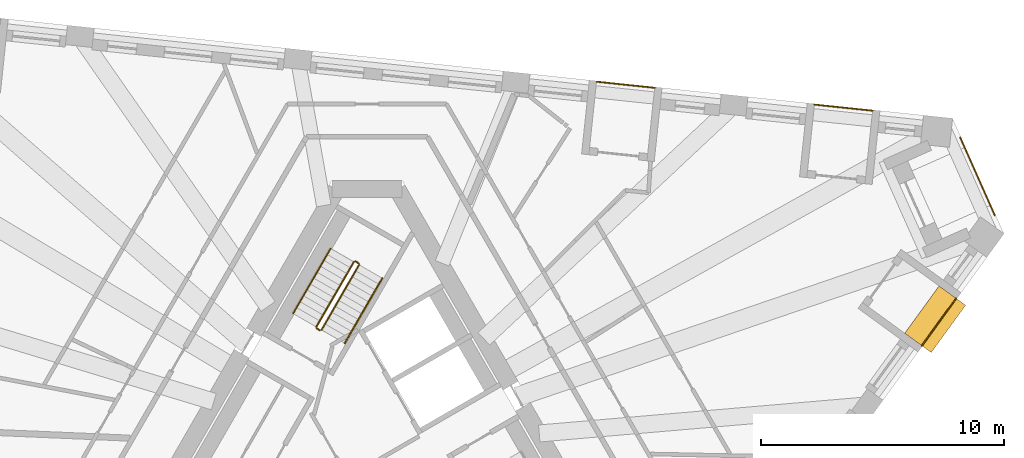
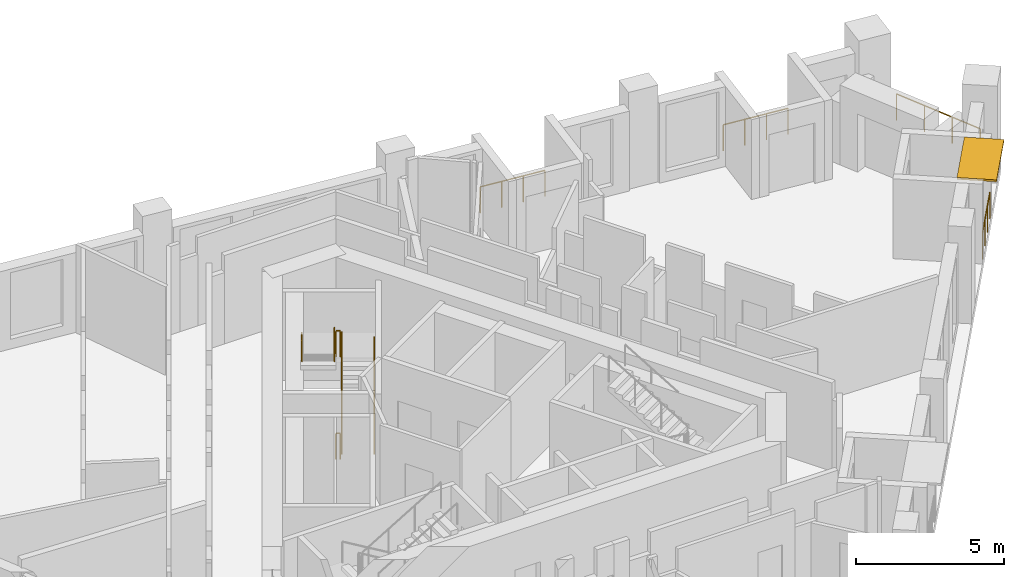
# One storey, part 11 of 11: 10 railings, 1 shading device.
"""IFC4 building model written with IfcOpenShell, lengths in metres."""

from ifc_helpers import new_model, si_unit, direction, frame, origin, origin_2d, place, context, subcontext, project, spatial, rectangle, circle, extrude, material, layer, layer_set, type_object, element, save


model = new_model("IFC4")

# Units and contexts
model_context = context("Model", 3, precision=1e-05, world=origin(), true_north=direction((0.0, 1.0)))
body_context = subcontext(model_context, "Body", "Model", "MODEL_VIEW")
ifc_project = project(units=[si_unit("LENGTHUNIT", "METRE"), si_unit("AREAUNIT", "SQUARE_METRE"), si_unit("VOLUMEUNIT", "CUBIC_METRE"), si_unit("PLANEANGLEUNIT", "RADIAN"), si_unit("MASSUNIT", "GRAM", prefix="KILO")], contexts=[model_context])

# Site, building, storey
site_placement = place(None, origin())
site = spatial("IfcSite", under=ifc_project, at=site_placement, CompositionType="ELEMENT")
building_placement = place(site_placement, origin())
building = spatial("IfcBuilding", under=site, at=building_placement, Name="Tramontana Tower", CompositionType="ELEMENT")
storey_placement = place(building_placement, frame((0.0, 0.0, 261.199951171875)))
storey = spatial("IfcBuildingStorey", under=building, at=storey_placement, Name="L61", CompositionType="ELEMENT", Elevation=261.199951171875)

# Railings
ifc_material_1 = material(Name="Laminated glass balustrade", Category="glass")
railing_type_1 = type_object("IfcRailingType", Name="GD1 Loggia glass balustrade 1100", PredefinedType="BALUSTRADE", material=ifc_material_1)
railing_1_placement = place(storey_placement, frame((22.802001953125, 4.21435546875, 0.0)))
element("IfcRailing", 1, at=railing_1_placement, inside=storey, type_object=railing_type_1, Name="Loggia balustrade L61 G6S1.13", PredefinedType="BALUSTRADE", context=body_context, shape_type="SweptSolid", body=[
    extrude(circle(Radius=0.02392578125, at=origin_2d()), frame((0.0, 0.0, 1.076171875), z_axis=(0.587718396543, 0.8090655637, 0.0), x_axis=(-0.8090655637, 0.587718396543, 0.0)), (0.0, 0.0, 1.0), 2.40234375),
    extrude(circle(Radius=0.02099609375, at=origin_2d()), origin(), (0.0, 0.0, 1.0), 1.052001953125),
    extrude(circle(Radius=0.02099609375, at=origin_2d()), frame((0.470703125, 0.64794921875, 0.0)), (0.0, 0.0, 1.0), 1.052001953125),
    extrude(circle(Radius=0.02099609375, at=origin_2d()), frame((0.941162109375, 1.295654296875, 0.0)), (0.0, 0.0, 1.0), 1.052001953125),
    extrude(circle(Radius=0.02099609375, at=origin_2d()), frame((1.411865234375, 1.943603515625, 0.0)), (0.0, 0.0, 1.0), 1.052001953125),
])
for number, where, name in (
    (2, (20.778564453125, 13.8740234375, 0.0), "Loggia balustrade L61 G6S2.1"),
    (3, (11.8212890625, 14.8154296875, 0.0), "Loggia balustrade L61 G6S2.4"),
):
    element("IfcRailing", number, at=place(storey_placement, frame(where)), inside=storey, type_object=railing_type_1, Name=name, PredefinedType="BALUSTRADE", context=body_context, shape_type="SweptSolid", body=[
        extrude(circle(Radius=0.02392578125, at=origin_2d()), frame((0.0, 0.0, 1.076171875), z_axis=(-0.994517140727, 0.104573690763, 0.0), x_axis=(-0.104573690763, -0.994517140727, 0.0)), (0.0, 0.0, 1.0), 2.40234375),
        extrude(circle(Radius=0.02099609375, at=origin_2d()), origin(), (0.0, 0.0, 1.0), 1.052001953125),
        extrude(circle(Radius=0.02099609375, at=origin_2d()), frame((-0.79638671875, 0.083740234375, 0.0)), (0.0, 0.0, 1.0), 1.052001953125),
        extrude(circle(Radius=0.02099609375, at=origin_2d()), frame((-1.5927734375, 0.16748046875, 0.0)), (0.0, 0.0, 1.0), 1.052001953125),
        extrude(circle(Radius=0.02099609375, at=origin_2d()), frame((-2.38916015625, 0.251220703125, 0.0)), (0.0, 0.0, 1.0), 1.052001953125),
    ])
railing_2_placement = place(storey_placement, frame((24.38330078125, 12.771728515625, 0.0)))
element("IfcRailing", 4, at=railing_2_placement, inside=storey, type_object=railing_type_1, Name="Corner loggia balustrade L61 K62", PredefinedType="BALUSTRADE", context=body_context, shape_type="SweptSolid", body=[
    extrude(circle(Radius=0.02392578125, at=origin_2d()), frame((0.0, 0.0, 1.076171875), z_axis=(0.406753242783, -0.913538066796, 0.0), x_axis=(0.913538066796, 0.406753242783, 0.0)), (0.0, 0.0, 1.0), 3.499755859375),
    extrude(circle(Radius=0.02099609375, at=origin_2d()), origin(), (0.0, 0.0, 1.0), 1.052001953125),
    extrude(circle(Radius=0.02099609375, at=origin_2d()), frame((0.474609375, -1.065673828125, 0.0)), (0.0, 0.0, 1.0), 1.052001953125),
    extrude(circle(Radius=0.02099609375, at=origin_2d()), frame((0.948974609375, -2.131591796875, 0.0)), (0.0, 0.0, 1.0), 1.052001953125),
    extrude(circle(Radius=0.02099609375, at=origin_2d()), frame((1.423583984375, -3.197265625, 0.0)), (0.0, 0.0, 1.0), 1.052001953125),
])

# Shading device
ifc_material_2 = material(Name="Precast concrete 60 MPa", Category="concrete")
ifc_layer = layer(ifc_material_2, 0.080078125)
ifc_layer_set = layer_set([ifc_layer], Name="SS3 Stone sunshade blade 80")
shading_device_type = type_object("IfcShadingDeviceType", Name="SS3 Stone sunshade blade 80", PredefinedType="USERDEFINED", material=ifc_layer_set)
shading_device_placement = place(storey_placement, frame((23.35009765625, 5.30078125, 3.219970703125), z_axis=(0.0, 0.0, 1.0), x_axis=(0.587785252292, 0.809016994375, 0.0)))
element("IfcShadingDevice", 5, at=shading_device_placement, inside=storey, type_object=shading_device_type, Name="Sunshade L61 G6S1.13", ObjectType="SUNSHADE", PredefinedType="USERDEFINED", context=body_context, shape_type="SweptSolid", body=[
    extrude(rectangle(XDim=2.402099609375, YDim=1.35009765625, at=origin_2d()), origin(), (0.0, 0.0, 1.0), 0.080078125),
])

# Railings
ifc_material_3 = material(Name="Painted steel", Category="steel")
railing_type_2 = type_object("IfcRailingType", Name="STAIR GUARD 1100", PredefinedType="GUARDRAIL", material=ifc_material_3)
railing_3_placement = place(storey_placement, frame((-1.867431640625, 4.865478515625, 0.166748046875)))
element("IfcRailing", 6, at=railing_3_placement, inside=storey, type_object=railing_type_2, Name="L61 ST1 stair guard 1", PredefinedType="GUARDRAIL", context=body_context, shape_type="SweptSolid", body=[
    extrude(circle(Radius=0.02392578125, at=origin_2d()), frame((0.0, 0.0, 1.076171875), z_axis=(0.429649414936, 0.744189839504, 0.511451721109), x_axis=(-0.866029832698, 0.499992328818, 0.0)), (0.0, 0.0, 1.0), 3.58447265625),
    extrude(circle(Radius=0.02099609375, at=origin_2d()), origin(), (0.0, 0.0, 1.0), 1.052001953125),
    extrude(circle(Radius=0.02099609375, at=origin_2d()), frame((0.513427734375, 0.88916015625, 0.611083984375)), (0.0, 0.0, 1.0), 1.052001953125),
    extrude(circle(Radius=0.02099609375, at=origin_2d()), frame((1.026611328125, 1.7783203125, 1.22216796875)), (0.0, 0.0, 1.0), 1.052001953125),
    extrude(circle(Radius=0.02099609375, at=origin_2d()), frame((1.5400390625, 2.66748046875, 1.833251953125)), (0.0, 0.0, 1.0), 1.052001953125),
])
railing_4_placement = place(storey_placement, frame((-0.5439453125, 7.657958984375, 2.166748046875)))
element("IfcRailing", 7, at=railing_4_placement, inside=storey, type_object=railing_type_2, Name="L61 ST1 stair guard 2", PredefinedType="GUARDRAIL", context=body_context, shape_type="SweptSolid", body=[
    extrude(circle(Radius=0.02392578125, at=origin_2d()), frame((0.0, 0.0, 1.076171875), z_axis=(-0.429649414936, -0.744189839504, 0.511451721109), x_axis=(0.866029832698, -0.499992328818, 0.0)), (0.0, 0.0, 1.0), 3.58447265625),
    extrude(circle(Radius=0.02099609375, at=origin_2d()), origin(), (0.0, 0.0, 1.0), 1.052001953125),
    extrude(circle(Radius=0.02099609375, at=origin_2d()), frame((-0.513427734375, -0.88916015625, 0.611083984375)), (0.0, 0.0, 1.0), 1.052001953125),
    extrude(circle(Radius=0.02099609375, at=origin_2d()), frame((-1.026611328125, -1.7783203125, 1.22216796875)), (0.0, 0.0, 1.0), 1.052001953125),
    extrude(circle(Radius=0.02099609375, at=origin_2d()), frame((-1.5400390625, -2.66748046875, 1.833251953125)), (0.0, 0.0, 1.0), 1.052001953125),
])
railing_5_placement = place(storey_placement, frame((-0.345703125, 7.601318359375, 2.0)))
element("IfcRailing", 8, at=railing_5_placement, inside=storey, type_object=railing_type_2, Name="L61 ST1 stair guard 3", PredefinedType="GUARDRAIL", context=body_context, shape_type="SweptSolid", body=[
    extrude(circle(Radius=0.02392578125, at=origin_2d()), frame((0.0, 0.0, 1.076171875), z_axis=(-0.866131372301, 0.499816412211, 0.0), x_axis=(-0.499816412211, -0.866131372301, 0.0)), (0.0, 0.0, 1.0), 0.14990234375),
    extrude(circle(Radius=0.02099609375, at=origin_2d()), origin(), (0.0, 0.0, 1.0), 1.052001953125),
    extrude(circle(Radius=0.02099609375, at=origin_2d()), frame((-0.1298828125, 0.074951171875, 0.0)), (0.0, 0.0, 1.0), 1.052001953125),
])
railing_6_placement = place(storey_placement, frame((-1.935791015625, 4.84716796875, 0.0)))
element("IfcRailing", 9, at=railing_6_placement, inside=storey, type_object=railing_type_2, Name="L61 ST1 stair guard 4", PredefinedType="GUARDRAIL", context=body_context, shape_type="SweptSolid", body=[
    extrude(circle(Radius=0.02392578125, at=origin_2d()), frame((0.0, 0.0, 1.076171875), z_axis=(-0.865426285481, 0.501036270542, 0.0), x_axis=(-0.501036270542, -0.865426285481, 0.0)), (0.0, 0.0, 1.0), 0.150146484375),
    extrude(circle(Radius=0.02099609375, at=origin_2d()), origin(), (0.0, 0.0, 1.0), 1.052001953125),
    extrude(circle(Radius=0.02099609375, at=origin_2d()), frame((-0.1298828125, 0.0751953125, 0.0)), (0.0, 0.0, 1.0), 1.052001953125),
])
ifc_material_4 = material(Name="Painted steel", Category="steel")
railing_type_3 = type_object("IfcRailingType", Name="STAIR HANDRAIL 900", PredefinedType="HANDRAIL", material=ifc_material_4)
railing_7_placement = place(storey_placement, frame((-0.914794921875, 4.315673828125, 0.166748046875)))
element("IfcRailing", 10, at=railing_7_placement, inside=storey, type_object=railing_type_3, Name="L61 ST1 stair handrail 1", PredefinedType="HANDRAIL", context=body_context, shape_type="SweptSolid", body=[
    extrude(circle(Radius=0.02392578125, at=origin_2d()), frame((0.0, 0.0, 0.8759765625), z_axis=(0.429671193721, 0.744159446956, 0.511477646425), x_axis=(-0.866010015463, 0.500026652407, 0.0)), (0.0, 0.0, 1.0), 3.584228515625),
    extrude(circle(Radius=0.02099609375, at=origin_2d()), origin(), (0.0, 0.0, 1.0), 0.851806640625),
    extrude(circle(Radius=0.02099609375, at=origin_2d()), frame((0.513427734375, 0.88916015625, 0.611083984375)), (0.0, 0.0, 1.0), 0.851806640625),
    extrude(circle(Radius=0.02099609375, at=origin_2d()), frame((1.026611328125, 1.778076171875, 1.22216796875)), (0.0, 0.0, 1.0), 0.851806640625),
    extrude(circle(Radius=0.02099609375, at=origin_2d()), frame((1.5400390625, 2.667236328125, 1.833251953125)), (0.0, 0.0, 1.0), 0.851806640625),
])
railing_8_placement = place(storey_placement, frame((-1.49658203125, 8.2080078125, 2.166748046875)))
element("IfcRailing", 11, at=railing_8_placement, inside=storey, type_object=railing_type_3, Name="L61 ST1 stair handrail 2", PredefinedType="HANDRAIL", context=body_context, shape_type="SweptSolid", body=[
    extrude(circle(Radius=0.02392578125, at=origin_2d()), frame((0.0, 0.0, 0.8759765625), z_axis=(-0.429649414936, -0.744189839504, 0.511451721109), x_axis=(0.866029832698, -0.499992328818, 0.0)), (0.0, 0.0, 1.0), 3.58447265625),
    extrude(circle(Radius=0.02099609375, at=origin_2d()), origin(), (0.0, 0.0, 1.0), 0.851806640625),
    extrude(circle(Radius=0.02099609375, at=origin_2d()), frame((-0.513427734375, -0.88916015625, 0.611083984375)), (0.0, 0.0, 1.0), 0.851806640625),
    extrude(circle(Radius=0.02099609375, at=origin_2d()), frame((-1.026611328125, -1.7783203125, 1.22216796875)), (0.0, 0.0, 1.0), 0.851806640625),
    extrude(circle(Radius=0.02099609375, at=origin_2d()), frame((-1.5400390625, -2.66748046875, 1.833251953125)), (0.0, 0.0, 1.0), 0.851806640625),
])

save(model, "model.ifc")
